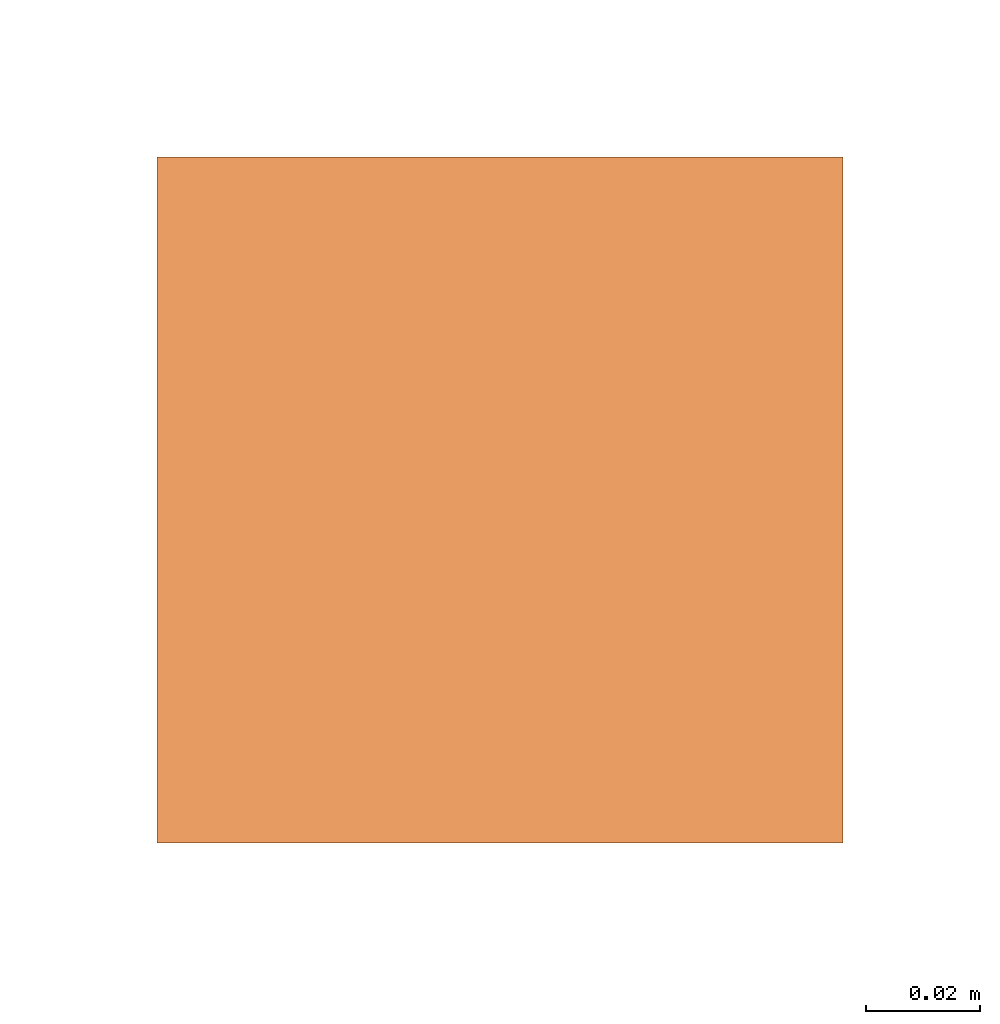
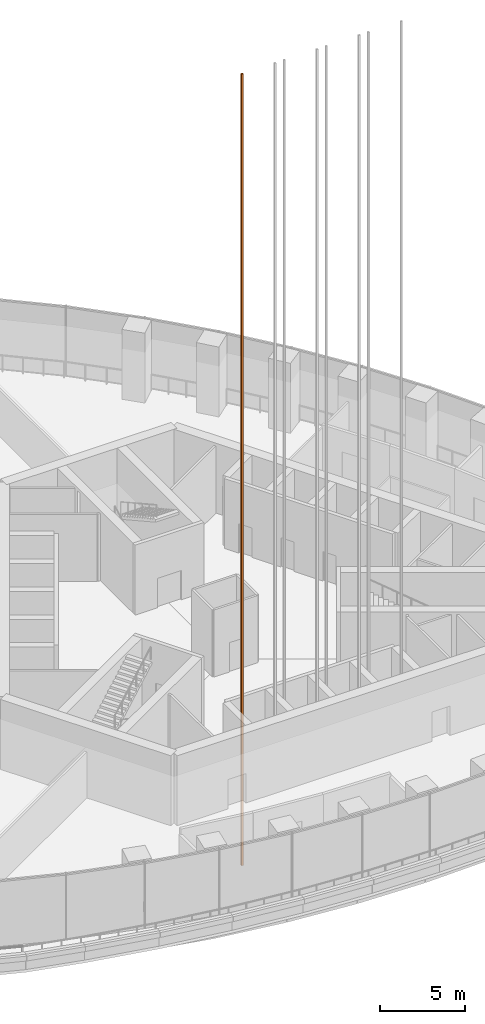
# One storey, part 19 of 26: 1 proxy.
"""IFC4 building model written with IfcOpenShell, lengths in metres."""

from ifc_helpers import new_model, si_unit, direction, frame, origin, origin_2d, place, context, subcontext, project, spatial, rectangle, extrude, element, save


model = new_model("IFC4")

# Units and contexts
model_context = context("Model", 3, precision=1e-05, world=origin(), true_north=direction((0.0, 1.0)))
body_context = subcontext(model_context, "Body", "Model", "MODEL_VIEW")
ifc_project = project(units=[si_unit("LENGTHUNIT", "METRE"), si_unit("AREAUNIT", "SQUARE_METRE"), si_unit("VOLUMEUNIT", "CUBIC_METRE"), si_unit("PLANEANGLEUNIT", "RADIAN"), si_unit("MASSUNIT", "GRAM", prefix="KILO")], contexts=[model_context])

# Site, building, storey
site_placement = place(None, origin())
site = spatial("IfcSite", under=ifc_project, at=site_placement, CompositionType="ELEMENT")
building_placement = place(site_placement, origin())
building = spatial("IfcBuilding", under=site, at=building_placement, Name="Trefoil Bronze Tower", CompositionType="ELEMENT")
storey_placement = place(building_placement, frame((0.0, 0.0, 271.300048828125)))
storey = spatial("IfcBuildingStorey", under=building, at=storey_placement, Name="L62", CompositionType="ELEMENT", Elevation=271.300048828125)

# Proxy
proxy_placement = place(storey_placement, frame((-5.385009765625, -11.3125, -6.0), z_axis=(0.0, 0.0, 1.0), x_axis=(1.0, 0.0, 0.0)))
element("IfcBuildingElementProxy", 1, at=proxy_placement, inside=storey, Name="Lift P41 guide rail 1", ObjectType="LIFT GUIDE RAIL", PredefinedType="USERDEFINED", context=body_context, shape_type="SweptSolid", body=[
    extrude(rectangle(XDim=0.1201171875, YDim=0.1201171875, at=origin_2d()), origin(), (0.0, 0.0, 1.0), 56.64990234375),
])

save(model, "model.ifc")
